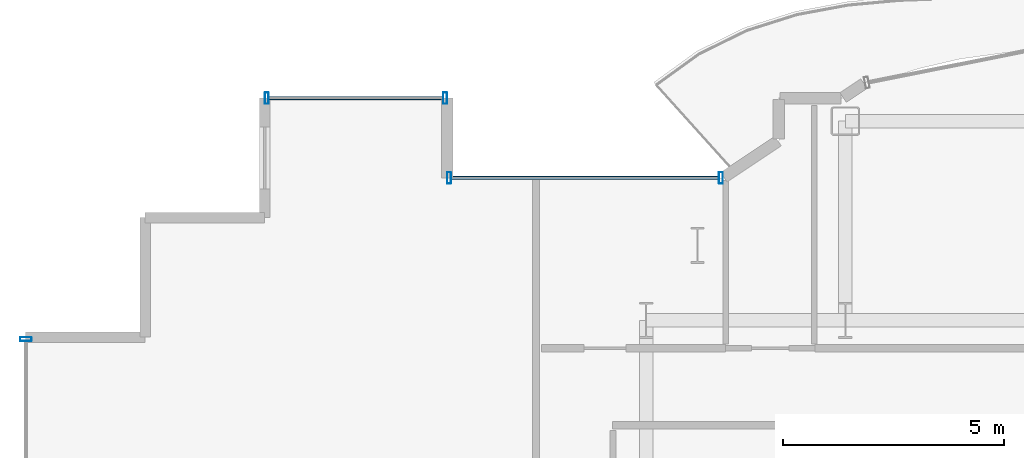
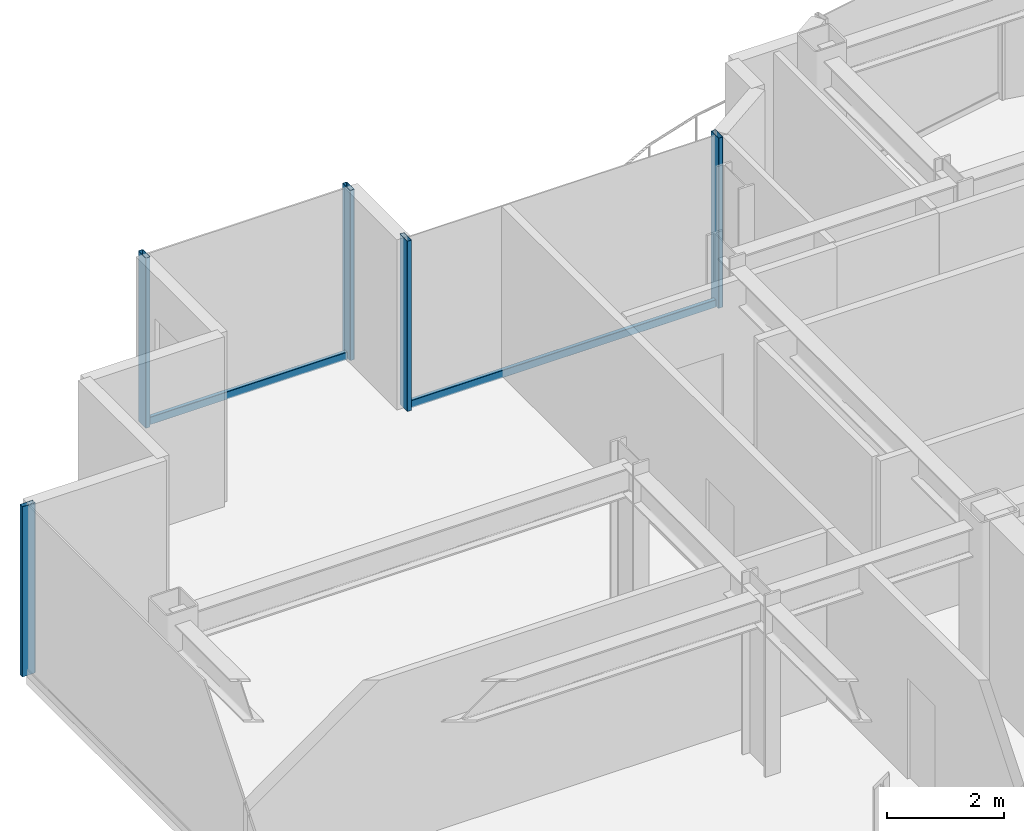
# One storey, part 8 of 20: 7 members, 3 elements without a shape of their own.
"""IFC4 building model written with IfcOpenShell, lengths in metres."""

from ifc_helpers import new_model, si_unit, direction, frame, origin, origin_2d, place, context, subcontext, project, spatial, hollow_rectangle, extrude, source, transform, mapped, material, layer, layer_set, material_profile, profile_set, type_object, element, aggregate, save


model = new_model("IFC4")

# Units and contexts
model_context = context("Model", 3, precision=1e-05, world=origin(), true_north=direction((0.0, 1.0)))
body_context = subcontext(model_context, "Body", "Model", "MODEL_VIEW")
ifc_project = project(units=[si_unit("LENGTHUNIT", "METRE"), si_unit("AREAUNIT", "SQUARE_METRE"), si_unit("VOLUMEUNIT", "CUBIC_METRE"), si_unit("PLANEANGLEUNIT", "RADIAN"), si_unit("MASSUNIT", "GRAM", prefix="KILO")], contexts=[model_context])

# Site, building, storey
site_placement = place(None, origin())
site = spatial("IfcSite", under=ifc_project, at=site_placement, CompositionType="ELEMENT")
building_placement = place(site_placement, origin())
building = spatial("IfcBuilding", under=site, at=building_placement, Name="Nefas-Gora Pilgrimage Tower", CompositionType="ELEMENT")
storey_placement = place(building_placement, frame((0.0, 0.0, 225.60009765625)))
storey = spatial("IfcBuildingStorey", under=building, at=storey_placement, Name="L56", CompositionType="ELEMENT", Elevation=225.60009765625)

# Curtain wall, members
ifc_material_1 = material(Name="Dark ceramic-fritted solar-control aluminium-glass curtain wall", Category="aluminium")
ifc_layer_1 = layer(ifc_material_1, 0.219970703125)
ifc_layer_set_1 = layer_set([ifc_layer_1], Name="Dark ceramic-fritted solar-control aluminium-glass curtain wall")
curtain_wall_type_1 = type_object("IfcCurtainWallType", Name="CW-SYS-5", PredefinedType="NOTDEFINED", material=ifc_layer_set_1)
curtain_wall_1_placement = place(storey_placement, origin())
curtain_wall_1 = element("IfcCurtainWall", 1, at=curtain_wall_1_placement, inside=storey, type_object=curtain_wall_type_1, Name="L56 Unitised Curtain Wall CW5", PredefinedType="NOTDEFINED")
ifc_material_2 = material(Name="Anodised architectural aluminium", Category="aluminium")
ifc_material_profile_1 = material_profile(ifc_material_2, hollow_rectangle(XDim=0.080078125, YDim=0.159912109375, WallThickness=0.00439453125, InnerFilletRadius=0.00439453125, OuterFilletRadius=0.009033203125, at=origin_2d()), Name="ALU TRANSOM 80x160")
ifc_profile_set_1 = profile_set([ifc_material_profile_1], Name="Anodised architectural aluminium")
member_type_1 = type_object("IfcMemberType", Name="CWM-TRN-5", PredefinedType="USERDEFINED", material=ifc_profile_set_1)
shared_shape_1 = source(origin(), body_context, "Body", "SweptSolid", [
    extrude(hollow_rectangle(XDim=0.080078125, YDim=0.159912109375, WallThickness=0.00439453125, InnerFilletRadius=0.00439453125, OuterFilletRadius=0.009033203125, at=origin_2d()), origin(), (0.0, 0.0, 1.0), 6.052001953125),
])
member_1_placement = place(storey_placement, frame((-9.60791015625, 21.219970703125, 0.0498046875), z_axis=(-1.0, 0.0, 0.0), x_axis=(0.0, -1.0, 0.0)))
member_1 = element("IfcMember", 2, at=member_1_placement, type_object=member_type_1, Name="CW5 Spandrel Transom", ObjectType="TRANSOM", PredefinedType="USERDEFINED", context=body_context, shape_type="MappedRepresentation", body=[
    mapped(shared_shape_1, transform((0.0, 0.0, 0.0), x_axis=(1.0, 0.0, 0.0), y_axis=(0.0, 1.0, 0.0), z_axis=(0.0, 0.0, 1.0), scale=1.0)),
])
ifc_material_profile_2 = material_profile(ifc_material_2, hollow_rectangle(XDim=0.090087890625, YDim=0.260009765625, WallThickness=0.006103515625, InnerFilletRadius=0.006103515625, OuterFilletRadius=0.011962890625, at=origin_2d()), Name="ALU MULLION 90x260")
ifc_profile_set_2 = profile_set([ifc_material_profile_2], Name="Anodised architectural aluminium")
member_type_2 = type_object("IfcMemberType", Name="CWM-MUL-5", PredefinedType="MULLION", material=ifc_profile_set_2)
shared_shape_2 = source(origin(), body_context, "Body", "SweptSolid", [
    extrude(hollow_rectangle(XDim=0.090087890625, YDim=0.260009765625, WallThickness=0.006103515625, InnerFilletRadius=0.006103515625, OuterFilletRadius=0.011962890625, at=origin_2d()), origin(), (0.0, 0.0, 1.0), 3.5498046875),
])
member_2_placement = place(storey_placement, frame((-9.56298828125, 21.219970703125, 0.0), z_axis=(0.0, 0.0, 1.0), x_axis=(-1.0, 0.0, 0.0)))
member_2 = element("IfcMember", 3, at=member_2_placement, type_object=member_type_2, Name="CW5 Mullion 1", PredefinedType="MULLION", context=body_context, shape_type="MappedRepresentation", body=[
    mapped(shared_shape_2, transform((0.0, 0.0, 0.0), x_axis=(1.0, 0.0, 0.0), y_axis=(0.0, 1.0, 0.0), z_axis=(0.0, 0.0, 1.0), scale=1.0)),
])
member_3_placement = place(storey_placement, frame((-15.705078125, 21.219970703125, 0.0), z_axis=(0.0, 0.0, 1.0), x_axis=(-1.0, 0.0, 0.0)))
member_3 = element("IfcMember", 4, at=member_3_placement, type_object=member_type_2, Name="CW5 Mullion 2", PredefinedType="MULLION", context=body_context, shape_type="MappedRepresentation", body=[
    mapped(shared_shape_2, transform((0.0, 0.0, 0.0), x_axis=(1.0, 0.0, 0.0), y_axis=(0.0, 1.0, 0.0), z_axis=(0.0, 0.0, 1.0), scale=1.0)),
])
aggregate(curtain_wall_1, [member_2, member_3, member_1])

ifc_layer_2 = layer(ifc_material_1, 0.219970703125)
ifc_layer_set_2 = layer_set([ifc_layer_2], Name="Dark ceramic-fritted solar-control aluminium-glass curtain wall")
curtain_wall_type_2 = type_object("IfcCurtainWallType", Name="CW-SYS-3", PredefinedType="NOTDEFINED", material=ifc_layer_set_2)
curtain_wall_2_placement = place(storey_placement, origin())
curtain_wall_2 = element("IfcCurtainWall", 5, at=curtain_wall_2_placement, inside=storey, type_object=curtain_wall_type_2, Name="L56 Unitised Curtain Wall CW3", PredefinedType="NOTDEFINED")
ifc_material_profile_3 = material_profile(ifc_material_2, hollow_rectangle(XDim=0.090087890625, YDim=0.260009765625, WallThickness=0.006103515625, InnerFilletRadius=0.006103515625, OuterFilletRadius=0.011962890625, at=origin_2d()), Name="ALU MULLION 90x260")
ifc_profile_set_3 = profile_set([ifc_material_profile_3], Name="Anodised architectural aluminium")
member_type_3 = type_object("IfcMemberType", Name="CWM-MUL-3", PredefinedType="MULLION", material=ifc_profile_set_3)
shared_shape_3 = source(origin(), body_context, "Body", "SweptSolid", [
    extrude(hollow_rectangle(XDim=0.090087890625, YDim=0.260009765625, WallThickness=0.006103515625, InnerFilletRadius=0.006103515625, OuterFilletRadius=0.011962890625, at=origin_2d()), origin(), (0.0, 0.0, 1.0), 3.5498046875),
])
member_4_placement = place(storey_placement, frame((-15.794921875, 23.02001953125, 0.0), z_axis=(0.0, 0.0, 1.0), x_axis=(-1.0, 0.0, 0.0)))
member_4 = element("IfcMember", 6, at=member_4_placement, type_object=member_type_3, Name="CW3 Mullion 1", PredefinedType="MULLION", context=body_context, shape_type="MappedRepresentation", body=[
    mapped(shared_shape_3, transform((0.0, 0.0, 0.0), x_axis=(1.0, 0.0, 0.0), y_axis=(0.0, 1.0, 0.0), z_axis=(0.0, 0.0, 1.0), scale=1.0)),
])
member_5_placement = place(storey_placement, frame((-19.824951171875, 23.02001953125, 0.0), z_axis=(0.0, 0.0, 1.0), x_axis=(-1.0, 0.0, 0.0)))
member_5 = element("IfcMember", 7, at=member_5_placement, type_object=member_type_3, Name="CW3 Mullion 2", PredefinedType="MULLION", context=body_context, shape_type="MappedRepresentation", body=[
    mapped(shared_shape_3, transform((0.0, 0.0, 0.0), x_axis=(1.0, 0.0, 0.0), y_axis=(0.0, 1.0, 0.0), z_axis=(0.0, 0.0, 1.0), scale=1.0)),
])

# Curtain wall, member
curtain_wall_3_placement = place(storey_placement, origin())
curtain_wall_3 = element("IfcCurtainWall", 8, at=curtain_wall_3_placement, inside=storey, type_object=curtain_wall_type_2, Name="L56 Unitised Curtain Wall CW3", PredefinedType="NOTDEFINED")
member_6_placement = place(storey_placement, frame((-25.27001953125, 17.574951171875, 0.0), z_axis=(0.0, 0.0, 1.0), x_axis=(0.0, -1.0, 0.0)))
member_6 = element("IfcMember", 9, at=member_6_placement, type_object=member_type_3, Name="CW3 Mullion 1", PredefinedType="MULLION", context=body_context, shape_type="MappedRepresentation", body=[
    mapped(shared_shape_3, transform((0.0, 0.0, 0.0), x_axis=(1.0, 0.0, 0.0), y_axis=(0.0, 1.0, 0.0), z_axis=(0.0, 0.0, 1.0), scale=1.0)),
])
aggregate(curtain_wall_3, [member_6])

# Member
ifc_material_profile_4 = material_profile(ifc_material_2, hollow_rectangle(XDim=0.080078125, YDim=0.159912109375, WallThickness=0.00439453125, InnerFilletRadius=0.00439453125, OuterFilletRadius=0.009033203125, at=origin_2d()), Name="ALU TRANSOM 80x160")
ifc_profile_set_4 = profile_set([ifc_material_profile_4], Name="Anodised architectural aluminium")
member_type_4 = type_object("IfcMemberType", Name="CWM-TRN-3", PredefinedType="USERDEFINED", material=ifc_profile_set_4)
shared_shape_4 = source(origin(), body_context, "Body", "SweptSolid", [
    extrude(hollow_rectangle(XDim=0.080078125, YDim=0.159912109375, WallThickness=0.00439453125, InnerFilletRadius=0.00439453125, OuterFilletRadius=0.009033203125, at=origin_2d()), origin(), (0.0, 0.0, 1.0), 3.93994140625),
])
member_7_placement = place(storey_placement, frame((-15.840087890625, 23.02001953125, 0.0498046875), z_axis=(-1.0, 0.0, 0.0), x_axis=(0.0, -1.0, 0.0)))
member_7 = element("IfcMember", 10, at=member_7_placement, type_object=member_type_4, Name="CW3 Spandrel Transom", ObjectType="TRANSOM", PredefinedType="USERDEFINED", context=body_context, shape_type="MappedRepresentation", body=[
    mapped(shared_shape_4, transform((0.0, 0.0, 0.0), x_axis=(1.0, 0.0, 0.0), y_axis=(0.0, 1.0, 0.0), z_axis=(0.0, 0.0, 1.0), scale=1.0)),
])

aggregate(curtain_wall_2, [member_4, member_5, member_7])

save(model, "model.ifc")
